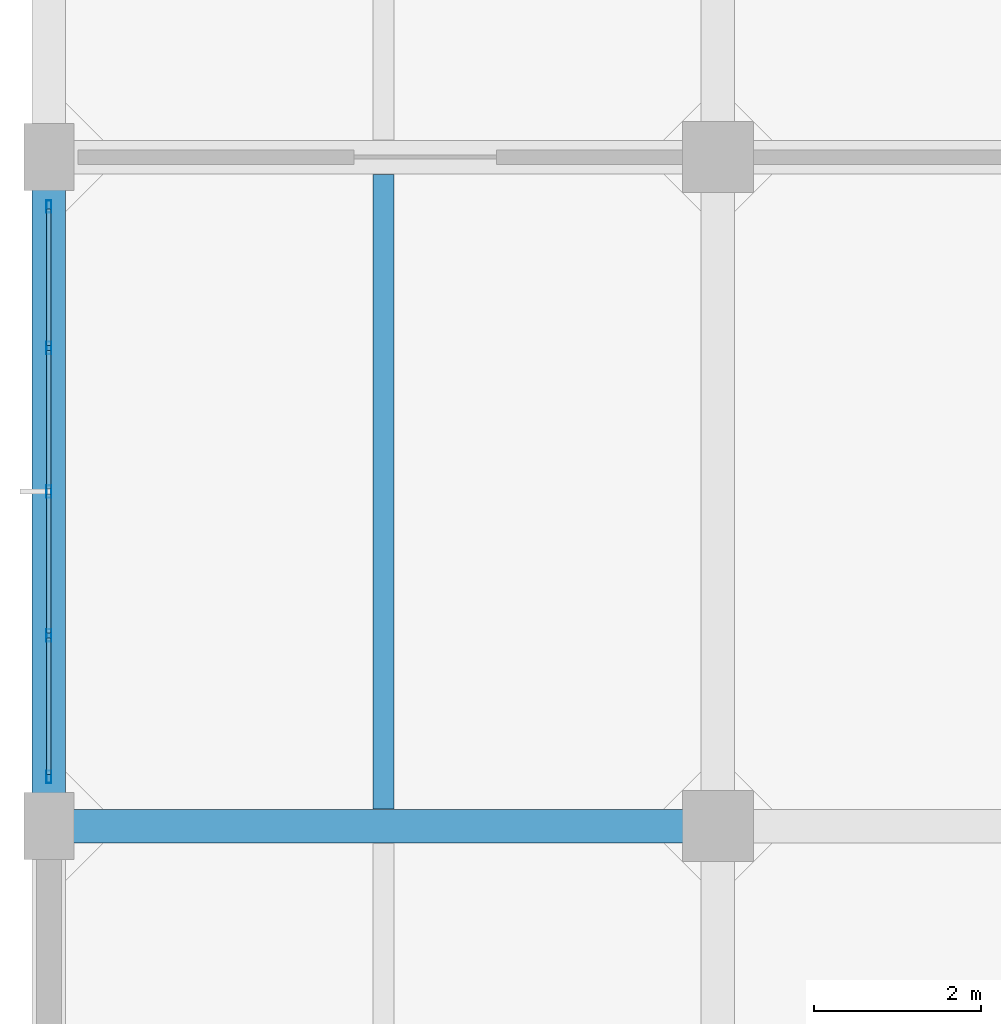
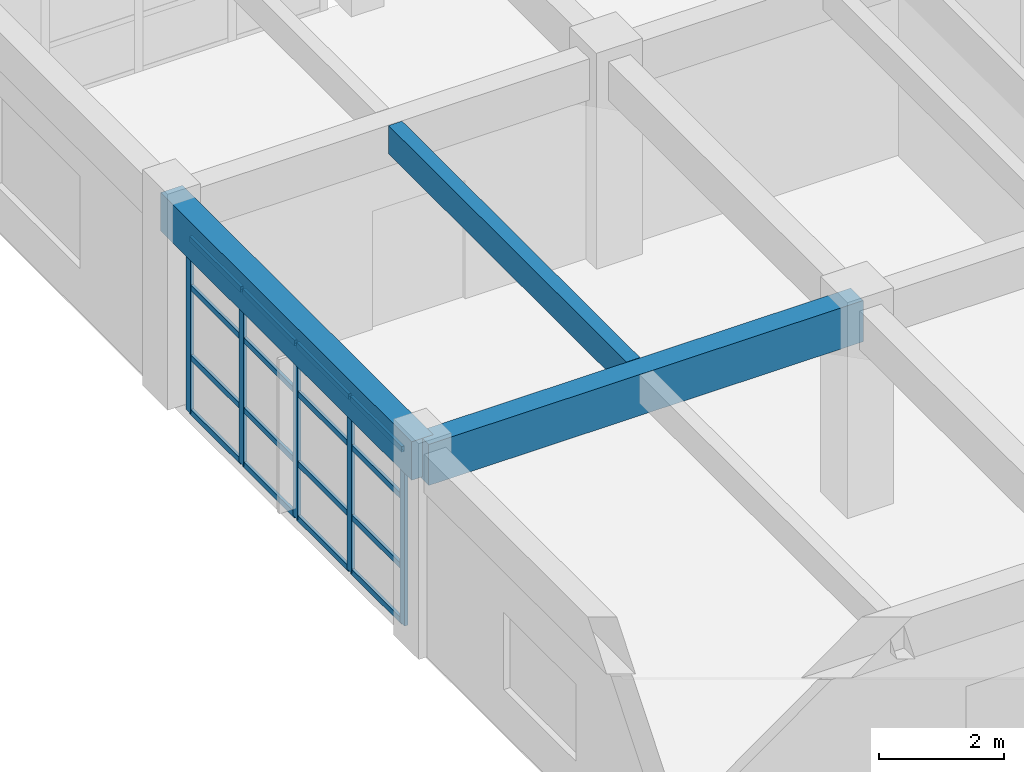
# One storey, part 11 of 27: 21 members, 3 beams, 1 element without a shape of its own.
"""IFC4 building model written with IfcOpenShell, lengths in metres."""

from ifc_helpers import new_model, si_unit, direction, frame, origin, origin_2d, place, context, subcontext, project, spatial, rectangle, hollow_rectangle, extrude, material, layer, layer_set, material_profile, profile_set, type_object, element, aggregate, save


model = new_model("IFC4")

# Units and contexts
model_context = context("Model", 3, precision=1e-05, world=origin(), true_north=direction((0.0, 1.0)))
body_context = subcontext(model_context, "Body", "Model", "MODEL_VIEW")
ifc_project = project(units=[si_unit("LENGTHUNIT", "METRE"), si_unit("AREAUNIT", "SQUARE_METRE"), si_unit("VOLUMEUNIT", "CUBIC_METRE"), si_unit("PLANEANGLEUNIT", "RADIAN"), si_unit("MASSUNIT", "GRAM", prefix="KILO")], contexts=[model_context])

# Site, building, storey
site_placement = place(None, origin())
site = spatial("IfcSite", under=ifc_project, at=site_placement, CompositionType="ELEMENT")
building_placement = place(site_placement, origin())
building = spatial("IfcBuilding", under=site, at=building_placement, Name="Canggui Botanical Conservatory", CompositionType="ELEMENT")
storey_placement = place(building_placement, frame((0.0, 0.0, 23.39990234375)))
storey = spatial("IfcBuildingStorey", under=building, at=storey_placement, Name="L06", CompositionType="ELEMENT", Elevation=23.39990234375)

# Beams
ifc_material_1 = material(Name="Concrete C35", Category="concrete")
ifc_material_profile_1 = material_profile(ifc_material_1, rectangle(XDim=0.25, YDim=0.550048828125, at=origin_2d()), Name="RB 250x550")
ifc_profile_set_1 = profile_set([ifc_material_profile_1], Name="Concrete C35")
beam_type_1 = type_object("IfcBeamType", Name="BM-JST03", PredefinedType="JOIST", material=ifc_profile_set_1)
beam_1_placement = place(storey_placement, frame((142.0, 58.205078125, 3.68505859375), z_axis=(0.0, 1.0, 0.0), x_axis=(-1.0, 0.0, 0.0)))
element("IfcBeam", 1, at=beam_1_placement, inside=storey, type_object=beam_type_1, Name="Secondary Floor Joist L06-1-4", PredefinedType="JOIST", context=body_context, shape_type="SweptSolid", body=[
    extrude(rectangle(XDim=0.25, YDim=0.550048828125, at=origin_2d()), origin(), (0.0, 0.0, 1.0), 7.58984375),
])
ifc_material_profile_2 = material_profile(ifc_material_1, rectangle(XDim=0.39990234375, YDim=0.800048828125, at=origin_2d()), Name="RB 400x800")
ifc_profile_set_2 = profile_set([ifc_material_profile_2], Name="Concrete C35")
beam_type_2 = type_object("IfcBeamType", Name="BM-KL09", PredefinedType="BEAM", material=ifc_profile_set_2)
beam_2_placement = place(storey_placement, frame((138.0, 58.0, 3.56005859375), z_axis=(1.0, 0.0, 0.0), x_axis=(0.0, 1.0, 0.0)))
element("IfcBeam", 2, at=beam_2_placement, inside=storey, type_object=beam_type_2, Name="Frame Girder L06 Y58-1", PredefinedType="BEAM", context=body_context, shape_type="SweptSolid", body=[
    extrude(rectangle(XDim=0.39990234375, YDim=0.800048828125, at=origin_2d()), origin(), (0.0, 0.0, 1.0), 8.0),
])
ifc_material_profile_3 = material_profile(ifc_material_1, rectangle(XDim=0.39990234375, YDim=0.75, at=origin_2d()), Name="RB 400x750")
ifc_profile_set_3 = profile_set([ifc_material_profile_3], Name="Concrete C35")
beam_type_3 = type_object("IfcBeamType", Name="BM-KL10", PredefinedType="BEAM", material=ifc_profile_set_3)
beam_3_placement = place(storey_placement, frame((138.0, 58.0, 3.585205078125), z_axis=(0.0, 1.0, 0.0), x_axis=(-1.0, 0.0, 0.0)))
element("IfcBeam", 3, at=beam_3_placement, inside=storey, type_object=beam_type_3, Name="Frame Girder L06 X138-4", PredefinedType="BEAM", context=body_context, shape_type="SweptSolid", body=[
    extrude(rectangle(XDim=0.39990234375, YDim=0.75, at=origin_2d()), origin(), (0.0, 0.0, 1.0), 8.0),
])

# Curtain wall, members
ifc_material_2 = material(Name="Thermally Broken Aluminium", Category="aluminium")
ifc_layer = layer(ifc_material_2, 0.14990234375, Name="Thermally Broken Aluminium", Category="aluminium")
ifc_layer_set = layer_set([ifc_layer], Name="Thermally Broken Aluminium")
curtain_wall_type = type_object("IfcCurtainWallType", Name="CW-UNIT-C", PredefinedType="USERDEFINED", material=ifc_layer_set)
curtain_wall_placement = place(storey_placement, origin())
curtain_wall = element("IfcCurtainWall", 4, at=curtain_wall_placement, inside=storey, type_object=curtain_wall_type, Name="Facade Curtain Wall CW-TWR-L06-10", ObjectType="UNITISED CURTAIN WALL", PredefinedType="USERDEFINED")
ifc_material_profile_4 = material_profile(ifc_material_2, hollow_rectangle(XDim=0.06005859375, YDim=0.14990234375, WallThickness=0.00341796875, at=origin_2d()), Name="CWM 60x150x3.5")
ifc_profile_set_4 = profile_set([ifc_material_profile_4], Name="Thermally Broken Aluminium")
member_type_1 = type_object("IfcMemberType", Name="CWM-03", PredefinedType="MULLION", material=ifc_profile_set_4)
member_1_placement = place(storey_placement, frame((138.0, 58.590087890625, 0.0), z_axis=(0.0, 0.0, 1.0), x_axis=(-1.0, 0.0, 0.0)))
member_1 = element("IfcMember", 5, at=member_1_placement, type_object=member_type_1, Name="CW-03 mullion 1", PredefinedType="MULLION", context=body_context, shape_type="SweptSolid", body=[
    extrude(hollow_rectangle(XDim=0.06005859375, YDim=0.14990234375, WallThickness=0.00341796875, at=origin_2d()), origin(), (0.0, 0.0, 1.0), 3.400146484375),
])
member_2_placement = place(storey_placement, frame((138.0, 60.280029296875, 0.0), z_axis=(0.0, 0.0, 1.0), x_axis=(-1.0, 0.0, 0.0)))
member_2 = element("IfcMember", 6, at=member_2_placement, type_object=member_type_1, Name="CW-03 mullion 2", PredefinedType="MULLION", context=body_context, shape_type="SweptSolid", body=[
    extrude(hollow_rectangle(XDim=0.06005859375, YDim=0.14990234375, WallThickness=0.00341796875, at=origin_2d()), origin(), (0.0, 0.0, 1.0), 3.400146484375),
])
member_3_placement = place(storey_placement, frame((138.0, 62.0, 0.0), z_axis=(0.0, 0.0, 1.0), x_axis=(-1.0, 0.0, 0.0)))
member_3 = element("IfcMember", 7, at=member_3_placement, type_object=member_type_1, Name="CW-03 mullion 3", PredefinedType="MULLION", context=body_context, shape_type="SweptSolid", body=[
    extrude(hollow_rectangle(XDim=0.06005859375, YDim=0.14990234375, WallThickness=0.00341796875, at=origin_2d()), origin(), (0.0, 0.0, 1.0), 3.400146484375),
])
member_4_placement = place(storey_placement, frame((138.0, 63.719970703125, 0.0), z_axis=(0.0, 0.0, 1.0), x_axis=(-1.0, 0.0, 0.0)))
member_4 = element("IfcMember", 8, at=member_4_placement, type_object=member_type_1, Name="CW-03 mullion 4", PredefinedType="MULLION", context=body_context, shape_type="SweptSolid", body=[
    extrude(hollow_rectangle(XDim=0.06005859375, YDim=0.14990234375, WallThickness=0.00341796875, at=origin_2d()), origin(), (0.0, 0.0, 1.0), 3.400146484375),
])
member_5_placement = place(storey_placement, frame((138.0, 65.409912109375, 0.0), z_axis=(0.0, 0.0, 1.0), x_axis=(-1.0, 0.0, 0.0)))
member_5 = element("IfcMember", 9, at=member_5_placement, type_object=member_type_1, Name="CW-03 mullion 5", PredefinedType="MULLION", context=body_context, shape_type="SweptSolid", body=[
    extrude(hollow_rectangle(XDim=0.06005859375, YDim=0.14990234375, WallThickness=0.00341796875, at=origin_2d()), origin(), (0.0, 0.0, 1.0), 3.400146484375),
])
ifc_material_profile_5 = material_profile(ifc_material_2, hollow_rectangle(XDim=0.054931640625, YDim=0.110107421875, WallThickness=0.0029296875, at=origin_2d()), Name="CWT 55x110x3")
ifc_profile_set_5 = profile_set([ifc_material_profile_5], Name="Thermally Broken Aluminium")
member_type_2 = type_object("IfcMemberType", Name="CWT-03", PredefinedType="USERDEFINED", material=ifc_profile_set_5)
member_6_placement = place(storey_placement, frame((138.0, 58.6201171875, 0.027587890625), z_axis=(0.0, 1.0, 0.0), x_axis=(-1.0, 0.0, 0.0)))
member_6 = element("IfcMember", 10, at=member_6_placement, type_object=member_type_2, Name="CW-03 transom 1.1", ObjectType="TRANSOM", PredefinedType="USERDEFINED", context=body_context, shape_type="SweptSolid", body=[
    extrude(hollow_rectangle(XDim=0.054931640625, YDim=0.110107421875, WallThickness=0.0029296875, at=origin_2d()), origin(), (0.0, 0.0, 1.0), 1.6298828125),
])
member_7_placement = place(storey_placement, frame((138.0, 58.6201171875, 1.088134765625), z_axis=(0.0, 1.0, 0.0), x_axis=(-1.0, 0.0, 0.0)))
member_7 = element("IfcMember", 11, at=member_7_placement, type_object=member_type_2, Name="CW-03 transom 1.2", ObjectType="TRANSOM", PredefinedType="USERDEFINED", context=body_context, shape_type="SweptSolid", body=[
    extrude(hollow_rectangle(XDim=0.054931640625, YDim=0.110107421875, WallThickness=0.0029296875, at=origin_2d()), origin(), (0.0, 0.0, 1.0), 1.6298828125),
])
member_8_placement = place(storey_placement, frame((138.0, 58.6201171875, 2.447998046875), z_axis=(0.0, 1.0, 0.0), x_axis=(-1.0, 0.0, 0.0)))
member_8 = element("IfcMember", 12, at=member_8_placement, type_object=member_type_2, Name="CW-03 transom 1.3", ObjectType="TRANSOM", PredefinedType="USERDEFINED", context=body_context, shape_type="SweptSolid", body=[
    extrude(hollow_rectangle(XDim=0.054931640625, YDim=0.110107421875, WallThickness=0.0029296875, at=origin_2d()), origin(), (0.0, 0.0, 1.0), 1.6298828125),
])
member_9_placement = place(storey_placement, frame((138.0, 58.6201171875, 3.37255859375), z_axis=(0.0, 1.0, 0.0), x_axis=(-1.0, 0.0, 0.0)))
member_9 = element("IfcMember", 13, at=member_9_placement, type_object=member_type_2, Name="CW-03 transom 1.4", ObjectType="TRANSOM", PredefinedType="USERDEFINED", context=body_context, shape_type="SweptSolid", body=[
    extrude(hollow_rectangle(XDim=0.054931640625, YDim=0.110107421875, WallThickness=0.0029296875, at=origin_2d()), origin(), (0.0, 0.0, 1.0), 1.6298828125),
])
member_10_placement = place(storey_placement, frame((138.0, 60.31005859375, 0.027587890625), z_axis=(0.0, 1.0, 0.0), x_axis=(-1.0, 0.0, 0.0)))
member_10 = element("IfcMember", 14, at=member_10_placement, type_object=member_type_2, Name="CW-03 transom 2.1", ObjectType="TRANSOM", PredefinedType="USERDEFINED", context=body_context, shape_type="SweptSolid", body=[
    extrude(hollow_rectangle(XDim=0.054931640625, YDim=0.110107421875, WallThickness=0.0029296875, at=origin_2d()), origin(), (0.0, 0.0, 1.0), 1.659912109375),
])
member_11_placement = place(storey_placement, frame((138.0, 60.31005859375, 1.088134765625), z_axis=(0.0, 1.0, 0.0), x_axis=(-1.0, 0.0, 0.0)))
member_11 = element("IfcMember", 15, at=member_11_placement, type_object=member_type_2, Name="CW-03 transom 2.2", ObjectType="TRANSOM", PredefinedType="USERDEFINED", context=body_context, shape_type="SweptSolid", body=[
    extrude(hollow_rectangle(XDim=0.054931640625, YDim=0.110107421875, WallThickness=0.0029296875, at=origin_2d()), origin(), (0.0, 0.0, 1.0), 1.659912109375),
])
member_12_placement = place(storey_placement, frame((138.0, 60.31005859375, 2.447998046875), z_axis=(0.0, 1.0, 0.0), x_axis=(-1.0, 0.0, 0.0)))
member_12 = element("IfcMember", 16, at=member_12_placement, type_object=member_type_2, Name="CW-03 transom 2.3", ObjectType="TRANSOM", PredefinedType="USERDEFINED", context=body_context, shape_type="SweptSolid", body=[
    extrude(hollow_rectangle(XDim=0.054931640625, YDim=0.110107421875, WallThickness=0.0029296875, at=origin_2d()), origin(), (0.0, 0.0, 1.0), 1.659912109375),
])
member_13_placement = place(storey_placement, frame((138.0, 60.31005859375, 3.37255859375), z_axis=(0.0, 1.0, 0.0), x_axis=(-1.0, 0.0, 0.0)))
member_13 = element("IfcMember", 17, at=member_13_placement, type_object=member_type_2, Name="CW-03 transom 2.4", ObjectType="TRANSOM", PredefinedType="USERDEFINED", context=body_context, shape_type="SweptSolid", body=[
    extrude(hollow_rectangle(XDim=0.054931640625, YDim=0.110107421875, WallThickness=0.0029296875, at=origin_2d()), origin(), (0.0, 0.0, 1.0), 1.659912109375),
])
member_14_placement = place(storey_placement, frame((138.0, 62.030029296875, 0.027587890625), z_axis=(0.0, 1.0, 0.0), x_axis=(-1.0, 0.0, 0.0)))
member_14 = element("IfcMember", 18, at=member_14_placement, type_object=member_type_2, Name="CW-03 transom 3.1", ObjectType="TRANSOM", PredefinedType="USERDEFINED", context=body_context, shape_type="SweptSolid", body=[
    extrude(hollow_rectangle(XDim=0.054931640625, YDim=0.110107421875, WallThickness=0.0029296875, at=origin_2d()), origin(), (0.0, 0.0, 1.0), 1.659912109375),
])
member_15_placement = place(storey_placement, frame((138.0, 62.030029296875, 1.088134765625), z_axis=(0.0, 1.0, 0.0), x_axis=(-1.0, 0.0, 0.0)))
member_15 = element("IfcMember", 19, at=member_15_placement, type_object=member_type_2, Name="CW-03 transom 3.2", ObjectType="TRANSOM", PredefinedType="USERDEFINED", context=body_context, shape_type="SweptSolid", body=[
    extrude(hollow_rectangle(XDim=0.054931640625, YDim=0.110107421875, WallThickness=0.0029296875, at=origin_2d()), origin(), (0.0, 0.0, 1.0), 1.659912109375),
])
member_16_placement = place(storey_placement, frame((138.0, 62.030029296875, 2.447998046875), z_axis=(0.0, 1.0, 0.0), x_axis=(-1.0, 0.0, 0.0)))
member_16 = element("IfcMember", 20, at=member_16_placement, type_object=member_type_2, Name="CW-03 transom 3.3", ObjectType="TRANSOM", PredefinedType="USERDEFINED", context=body_context, shape_type="SweptSolid", body=[
    extrude(hollow_rectangle(XDim=0.054931640625, YDim=0.110107421875, WallThickness=0.0029296875, at=origin_2d()), origin(), (0.0, 0.0, 1.0), 1.659912109375),
])
member_17_placement = place(storey_placement, frame((138.0, 62.030029296875, 3.37255859375), z_axis=(0.0, 1.0, 0.0), x_axis=(-1.0, 0.0, 0.0)))
member_17 = element("IfcMember", 21, at=member_17_placement, type_object=member_type_2, Name="CW-03 transom 3.4", ObjectType="TRANSOM", PredefinedType="USERDEFINED", context=body_context, shape_type="SweptSolid", body=[
    extrude(hollow_rectangle(XDim=0.054931640625, YDim=0.110107421875, WallThickness=0.0029296875, at=origin_2d()), origin(), (0.0, 0.0, 1.0), 1.659912109375),
])
member_18_placement = place(storey_placement, frame((138.0, 63.75, 0.027587890625), z_axis=(0.0, 1.0, 0.0), x_axis=(-1.0, 0.0, 0.0)))
member_18 = element("IfcMember", 22, at=member_18_placement, type_object=member_type_2, Name="CW-03 transom 4.1", ObjectType="TRANSOM", PredefinedType="USERDEFINED", context=body_context, shape_type="SweptSolid", body=[
    extrude(hollow_rectangle(XDim=0.054931640625, YDim=0.110107421875, WallThickness=0.0029296875, at=origin_2d()), origin(), (0.0, 0.0, 1.0), 1.6298828125),
])
member_19_placement = place(storey_placement, frame((138.0, 63.75, 1.088134765625), z_axis=(0.0, 1.0, 0.0), x_axis=(-1.0, 0.0, 0.0)))
member_19 = element("IfcMember", 23, at=member_19_placement, type_object=member_type_2, Name="CW-03 transom 4.2", ObjectType="TRANSOM", PredefinedType="USERDEFINED", context=body_context, shape_type="SweptSolid", body=[
    extrude(hollow_rectangle(XDim=0.054931640625, YDim=0.110107421875, WallThickness=0.0029296875, at=origin_2d()), origin(), (0.0, 0.0, 1.0), 1.6298828125),
])
member_20_placement = place(storey_placement, frame((138.0, 63.75, 2.447998046875), z_axis=(0.0, 1.0, 0.0), x_axis=(-1.0, 0.0, 0.0)))
member_20 = element("IfcMember", 24, at=member_20_placement, type_object=member_type_2, Name="CW-03 transom 4.3", ObjectType="TRANSOM", PredefinedType="USERDEFINED", context=body_context, shape_type="SweptSolid", body=[
    extrude(hollow_rectangle(XDim=0.054931640625, YDim=0.110107421875, WallThickness=0.0029296875, at=origin_2d()), origin(), (0.0, 0.0, 1.0), 1.6298828125),
])
member_21_placement = place(storey_placement, frame((138.0, 63.75, 3.37255859375), z_axis=(0.0, 1.0, 0.0), x_axis=(-1.0, 0.0, 0.0)))
member_21 = element("IfcMember", 25, at=member_21_placement, type_object=member_type_2, Name="CW-03 transom 4.4", ObjectType="TRANSOM", PredefinedType="USERDEFINED", context=body_context, shape_type="SweptSolid", body=[
    extrude(hollow_rectangle(XDim=0.054931640625, YDim=0.110107421875, WallThickness=0.0029296875, at=origin_2d()), origin(), (0.0, 0.0, 1.0), 1.6298828125),
])
aggregate(curtain_wall, [member_1, member_2, member_3, member_4, member_5, member_6, member_7, member_8, member_9, member_10, member_11, member_12, member_13, member_14, member_15, member_16, member_17, member_18, member_19, member_20, member_21])

save(model, "model.ifc")
